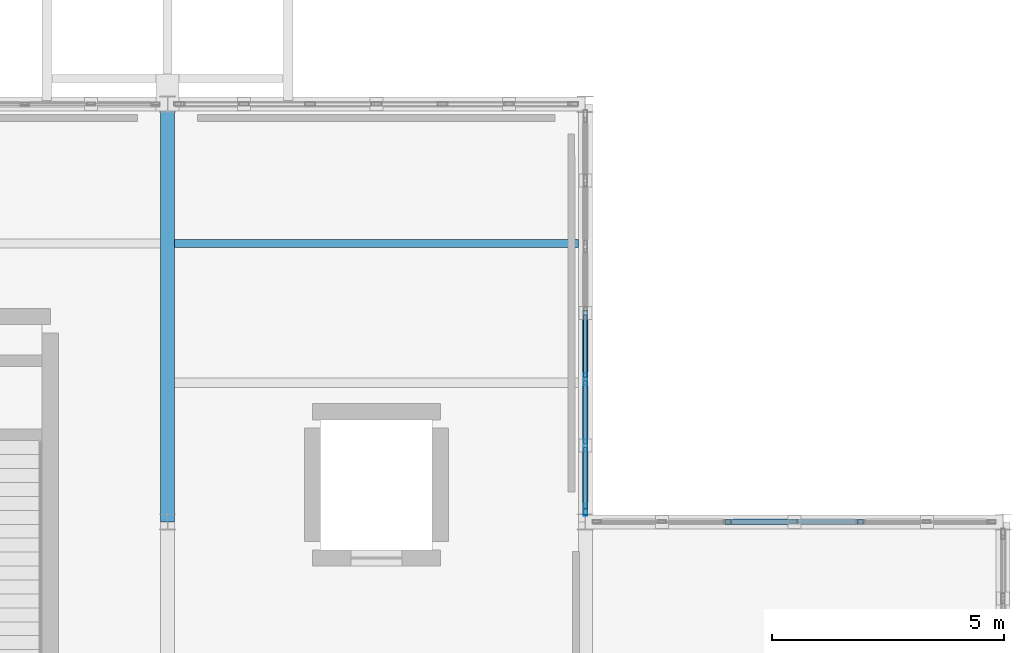
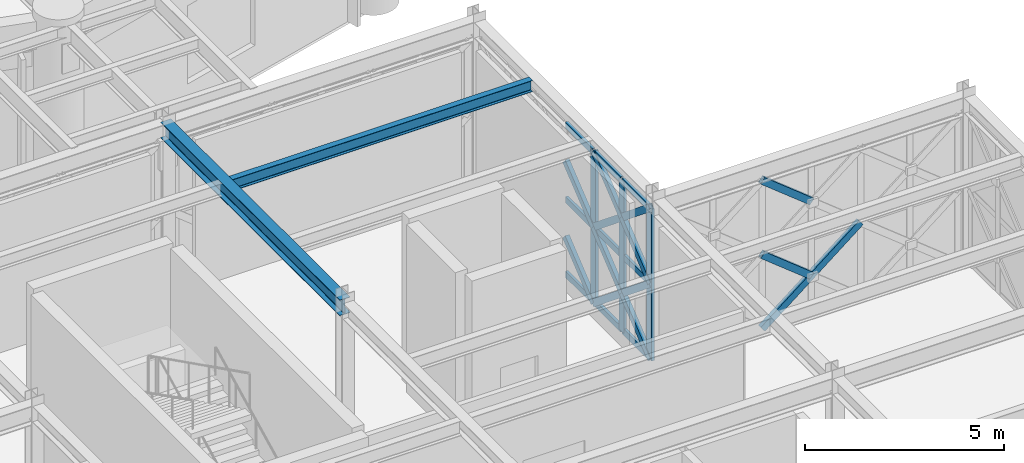
# One storey, part 39 of 166: 23 members, 2 beams, 1 element without a shape of its own.
"""IFC4 building model written with IfcOpenShell, lengths in metres."""

from ifc_helpers import new_model, si_unit, direction, frame, origin, origin_2d, place, context, subcontext, project, spatial, hollow_rectangle, i_section, extrude, material, material_profile, profile_set, type_object, element, aggregate, save


model = new_model("IFC4")

# Units and contexts
model_context = context("Model", 3, precision=1e-05, world=origin(), true_north=direction((0.0, 1.0)))
body_context = subcontext(model_context, "Body", "Model", "MODEL_VIEW")
ifc_project = project(units=[si_unit("LENGTHUNIT", "METRE"), si_unit("AREAUNIT", "SQUARE_METRE"), si_unit("VOLUMEUNIT", "CUBIC_METRE"), si_unit("PLANEANGLEUNIT", "RADIAN"), si_unit("MASSUNIT", "GRAM", prefix="KILO")], contexts=[model_context])

# Site, building, storey
site_placement = place(None, origin())
site = spatial("IfcSite", under=ifc_project, at=site_placement, CompositionType="ELEMENT")
building_placement = place(site_placement, origin())
building = spatial("IfcBuilding", under=site, at=building_placement, Name="Haizhuo Lancet Aquarium", CompositionType="ELEMENT")
storey_placement = place(building_placement, frame((0.0, 0.0, 5.39990234375)))
storey = spatial("IfcBuildingStorey", under=building, at=storey_placement, Name="L01", CompositionType="ELEMENT", Elevation=5.39990234375)

# Beam
ifc_material_1 = material(Name="Steel S355", Category="steel")
ifc_material_profile_1 = material_profile(ifc_material_1, i_section(OverallWidth=0.300048828125, OverallDepth=0.488037109375, WebThickness=0.010986328125, FlangeThickness=0.01806640625, FilletRadius=0.02392578125, at=origin_2d()), Name="HM 488x300x11x18")
ifc_profile_set_1 = profile_set([ifc_material_profile_1], Name="Steel S355")
beam_type_1 = type_object("IfcBeamType", Name="BM-ST-HM488", PredefinedType="BEAM", material=ifc_profile_set_1)
beam_1_placement = place(storey_placement, frame((0.0, -36.0, 4.89599609375), z_axis=(0.0, 1.0, 0.0), x_axis=(-1.0, 0.0, 0.0)))
element("IfcBeam", 1, at=beam_1_placement, inside=storey, type_object=beam_type_1, Name="L01 V4 primary girder BM-L01-V4-018", PredefinedType="BEAM", context=body_context, shape_type="SweptSolid", body=[
    extrude(i_section(OverallWidth=0.300048828125, OverallDepth=0.488037109375, WebThickness=0.010986328125, FlangeThickness=0.01806640625, FilletRadius=0.02392578125, at=origin_2d()), origin(), (0.0, 0.0, 1.0), 9.0),
])

# Curtain wall, members
ifc_material_2 = material(Name="Aluminium 6063-T6", Category="aluminium")
curtain_wall_type = type_object("IfcCurtainWallType", Name="CWO-8560x4650", PredefinedType="NOTDEFINED", material=ifc_material_2)
curtain_wall_placement = place(storey_placement, origin())
curtain_wall = element("IfcCurtainWall", 2, at=curtain_wall_placement, inside=storey, type_object=curtain_wall_type, Name="L01 curtain wall CW-V4-L01-093", PredefinedType="NOTDEFINED")
ifc_material_profile_2 = material_profile(ifc_material_2, hollow_rectangle(XDim=0.080078125, YDim=0.260009765625, WallThickness=0.0048828125, at=origin_2d()), Name="ALU-M 80x260x5")
ifc_profile_set_2 = profile_set([ifc_material_profile_2], Name="Aluminium 6063-T6")
member_type_1 = type_object("IfcMemberType", Name="CW-MUL-3", PredefinedType="MULLION", material=ifc_profile_set_2)
member_1_placement = place(storey_placement, frame((9.0, -32.927001953125, 0.0), z_axis=(0.0, 0.0, 1.0), x_axis=(1.0, 0.0, 0.0)))
member_1 = element("IfcMember", 3, at=member_1_placement, type_object=member_type_1, Name="CWO-85x46 mullion 5", PredefinedType="MULLION", context=body_context, shape_type="SweptSolid", body=[
    extrude(hollow_rectangle(XDim=0.080078125, YDim=0.260009765625, WallThickness=0.0048828125, at=origin_2d()), origin(), (0.0, 0.0, 1.0), 4.652099609375),
])
member_2_placement = place(storey_placement, frame((9.0, -34.35302734375, 0.0), z_axis=(0.0, 0.0, 1.0), x_axis=(1.0, 0.0, 0.0)))
member_2 = element("IfcMember", 4, at=member_2_placement, type_object=member_type_1, Name="CWO-85x46 mullion 6", PredefinedType="MULLION", context=body_context, shape_type="SweptSolid", body=[
    extrude(hollow_rectangle(XDim=0.080078125, YDim=0.260009765625, WallThickness=0.0048828125, at=origin_2d()), origin(), (0.0, 0.0, 1.0), 4.652099609375),
])
member_3_placement = place(storey_placement, frame((9.0, -35.739990234375, 0.0), z_axis=(0.0, 0.0, 1.0), x_axis=(1.0, 0.0, 0.0)))
member_3 = element("IfcMember", 5, at=member_3_placement, type_object=member_type_1, Name="CWO-85x46 mullion 7", PredefinedType="MULLION", context=body_context, shape_type="SweptSolid", body=[
    extrude(hollow_rectangle(XDim=0.080078125, YDim=0.260009765625, WallThickness=0.0048828125, at=origin_2d()), origin(), (0.0, 0.0, 1.0), 4.652099609375),
])
ifc_material_profile_3 = material_profile(ifc_material_2, hollow_rectangle(XDim=0.080078125, YDim=0.18994140625, WallThickness=0.0048828125, at=origin_2d()), Name="ALU-T 80x190x5")
ifc_profile_set_3 = profile_set([ifc_material_profile_3], Name="Aluminium 6063-T6")
member_type_2 = type_object("IfcMemberType", Name="CW-TRN-3", PredefinedType="NOTDEFINED", material=ifc_profile_set_3)
member_4_placement = place(storey_placement, frame((9.0, -31.5400390625, 0.0400390625), z_axis=(0.0, -1.0, 0.0), x_axis=(1.0, 0.0, 0.0)))
member_4 = element("IfcMember", 6, at=member_4_placement, type_object=member_type_2, Name="CWO-85x46 transom 4.1", ObjectType="TRANSOM", PredefinedType="USERDEFINED", context=body_context, shape_type="SweptSolid", body=[
    extrude(hollow_rectangle(XDim=0.080078125, YDim=0.18994140625, WallThickness=0.0048828125, at=origin_2d()), origin(), (0.0, 0.0, 1.0), 1.346923828125),
])
member_5_placement = place(storey_placement, frame((9.0, -31.5400390625, 2.326171875), z_axis=(0.0, -1.0, 0.0), x_axis=(1.0, 0.0, 0.0)))
member_5 = element("IfcMember", 7, at=member_5_placement, type_object=member_type_2, Name="CWO-85x46 transom 4.2", ObjectType="TRANSOM", PredefinedType="USERDEFINED", context=body_context, shape_type="SweptSolid", body=[
    extrude(hollow_rectangle(XDim=0.080078125, YDim=0.18994140625, WallThickness=0.0048828125, at=origin_2d()), origin(), (0.0, 0.0, 1.0), 1.346923828125),
])
member_6_placement = place(storey_placement, frame((9.0, -31.5400390625, 4.612060546875), z_axis=(0.0, -1.0, 0.0), x_axis=(1.0, 0.0, 0.0)))
member_6 = element("IfcMember", 8, at=member_6_placement, type_object=member_type_2, Name="CWO-85x46 transom 4.3", ObjectType="TRANSOM", PredefinedType="USERDEFINED", context=body_context, shape_type="SweptSolid", body=[
    extrude(hollow_rectangle(XDim=0.080078125, YDim=0.18994140625, WallThickness=0.0048828125, at=origin_2d()), origin(), (0.0, 0.0, 1.0), 1.346923828125),
])
member_7_placement = place(storey_placement, frame((9.0, -32.967041015625, 0.0400390625), z_axis=(0.0, -1.0, 0.0), x_axis=(1.0, 0.0, 0.0)))
member_7 = element("IfcMember", 9, at=member_7_placement, type_object=member_type_2, Name="CWO-85x46 transom 5.1", ObjectType="TRANSOM", PredefinedType="USERDEFINED", context=body_context, shape_type="SweptSolid", body=[
    extrude(hollow_rectangle(XDim=0.080078125, YDim=0.18994140625, WallThickness=0.0048828125, at=origin_2d()), origin(), (0.0, 0.0, 1.0), 1.345947265625),
])
member_8_placement = place(storey_placement, frame((9.0, -32.967041015625, 2.326171875), z_axis=(0.0, -1.0, 0.0), x_axis=(1.0, 0.0, 0.0)))
member_8 = element("IfcMember", 10, at=member_8_placement, type_object=member_type_2, Name="CWO-85x46 transom 5.2", ObjectType="TRANSOM", PredefinedType="USERDEFINED", context=body_context, shape_type="SweptSolid", body=[
    extrude(hollow_rectangle(XDim=0.080078125, YDim=0.18994140625, WallThickness=0.0048828125, at=origin_2d()), origin(), (0.0, 0.0, 1.0), 1.345947265625),
])
member_9_placement = place(storey_placement, frame((9.0, -32.967041015625, 4.612060546875), z_axis=(0.0, -1.0, 0.0), x_axis=(1.0, 0.0, 0.0)))
member_9 = element("IfcMember", 11, at=member_9_placement, type_object=member_type_2, Name="CWO-85x46 transom 5.3", ObjectType="TRANSOM", PredefinedType="USERDEFINED", context=body_context, shape_type="SweptSolid", body=[
    extrude(hollow_rectangle(XDim=0.080078125, YDim=0.18994140625, WallThickness=0.0048828125, at=origin_2d()), origin(), (0.0, 0.0, 1.0), 1.345947265625),
])
member_10_placement = place(storey_placement, frame((9.0, -34.39306640625, 0.0400390625), z_axis=(0.0, -1.0, 0.0), x_axis=(1.0, 0.0, 0.0)))
member_10 = element("IfcMember", 12, at=member_10_placement, type_object=member_type_2, Name="CWO-85x46 transom 6.1", ObjectType="TRANSOM", PredefinedType="USERDEFINED", context=body_context, shape_type="SweptSolid", body=[
    extrude(hollow_rectangle(XDim=0.080078125, YDim=0.18994140625, WallThickness=0.0048828125, at=origin_2d()), origin(), (0.0, 0.0, 1.0), 1.306884765625),
])
member_11_placement = place(storey_placement, frame((9.0, -34.39306640625, 2.326171875), z_axis=(0.0, -1.0, 0.0), x_axis=(1.0, 0.0, 0.0)))
member_11 = element("IfcMember", 13, at=member_11_placement, type_object=member_type_2, Name="CWO-85x46 transom 6.2", ObjectType="TRANSOM", PredefinedType="USERDEFINED", context=body_context, shape_type="SweptSolid", body=[
    extrude(hollow_rectangle(XDim=0.080078125, YDim=0.18994140625, WallThickness=0.0048828125, at=origin_2d()), origin(), (0.0, 0.0, 1.0), 1.306884765625),
])
member_12_placement = place(storey_placement, frame((9.0, -34.39306640625, 4.612060546875), z_axis=(0.0, -1.0, 0.0), x_axis=(1.0, 0.0, 0.0)))
member_12 = element("IfcMember", 14, at=member_12_placement, type_object=member_type_2, Name="CWO-85x46 transom 6.3", ObjectType="TRANSOM", PredefinedType="USERDEFINED", context=body_context, shape_type="SweptSolid", body=[
    extrude(hollow_rectangle(XDim=0.080078125, YDim=0.18994140625, WallThickness=0.0048828125, at=origin_2d()), origin(), (0.0, 0.0, 1.0), 1.306884765625),
])
aggregate(curtain_wall, [member_1, member_2, member_3, member_4, member_5, member_6, member_7, member_8, member_9, member_10, member_11, member_12])

# Beam
ifc_material_profile_4 = material_profile(ifc_material_1, i_section(OverallWidth=0.175048828125, OverallDepth=0.35009765625, WebThickness=0.007080078125, FlangeThickness=0.010986328125, FilletRadius=0.013916015625, at=origin_2d()), Name="HN 350x175x7x11")
ifc_profile_set_4 = profile_set([ifc_material_profile_4], Name="Steel S355")
beam_type_2 = type_object("IfcBeamType", Name="JST-ST-HN350", PredefinedType="JOIST", material=ifc_profile_set_4)
beam_2_placement = place(storey_placement, frame((0.14990234375, -30.0, 4.965087890625), z_axis=(1.0, 0.0, 0.0), x_axis=(0.0, 1.0, 0.0)))
element("IfcBeam", 15, at=beam_2_placement, inside=storey, type_object=beam_type_2, Name="L01 V4 secondary floor joist 16", PredefinedType="JOIST", context=body_context, shape_type="SweptSolid", body=[
    extrude(i_section(OverallWidth=0.175048828125, OverallDepth=0.35009765625, WebThickness=0.007080078125, FlangeThickness=0.010986328125, FilletRadius=0.013916015625, at=origin_2d()), origin(), (0.0, 0.0, 1.0), 8.7001953125),
])

# Members
ifc_material_profile_5 = material_profile(ifc_material_1, hollow_rectangle(XDim=0.1201171875, YDim=0.199951171875, WallThickness=0.008056640625, at=origin_2d()), Name="RHS 120x200x8")
ifc_profile_set_5 = profile_set([ifc_material_profile_5], Name="Steel S355")
member_type_3 = type_object("IfcMemberType", Name="MEM-LB-RHS120x200", PredefinedType="BRACE", material=ifc_profile_set_5)
member_13_placement = place(storey_placement, frame((9.0, -32.927001953125, 0.0), z_axis=(0.0, 0.77514357805, 0.631785116481), x_axis=(-1.0, 0.0, 0.0)))
element("IfcMember", 16, at=member_13_placement, inside=storey, type_object=member_type_3, Name="Gothic lancet split diagonal brace CW-V4-L01-093 3B1", PredefinedType="BRACE", context=body_context, shape_type="SweptSolid", body=[
    extrude(hollow_rectangle(XDim=0.1201171875, YDim=0.199951171875, WallThickness=0.008056640625, at=origin_2d()), origin(), (0.0, 0.0, 1.0), 1.841064453125),
])
member_14_placement = place(storey_placement, frame((9.0, -32.927001953125, 2.326171875), z_axis=(0.0, 0.775208524913, 0.631705424151), x_axis=(-1.0, 0.0, 0.0)))
element("IfcMember", 17, at=member_14_placement, inside=storey, type_object=member_type_3, Name="Gothic lancet split diagonal brace CW-V4-L01-093 4B1", PredefinedType="BRACE", context=body_context, shape_type="SweptSolid", body=[
    extrude(hollow_rectangle(XDim=0.1201171875, YDim=0.199951171875, WallThickness=0.008056640625, at=origin_2d()), origin(), (0.0, 0.0, 1.0), 1.8408203125),
])
member_15_placement = place(storey_placement, frame((9.0, -32.927001953125, 0.0), z_axis=(0.0, -0.775037676978, 0.631915025351), x_axis=(1.0, 0.0, 0.0)))
element("IfcMember", 18, at=member_15_placement, inside=storey, type_object=member_type_3, Name="Gothic lancet continuous diagonal brace CW-V4-L01-093 5A", PredefinedType="BRACE", context=body_context, shape_type="SweptSolid", body=[
    extrude(hollow_rectangle(XDim=0.1201171875, YDim=0.199951171875, WallThickness=0.008056640625, at=origin_2d()), origin(), (0.0, 0.0, 1.0), 3.68115234375),
])
member_16_placement = place(storey_placement, frame((9.0, -35.780029296875, 0.0), z_axis=(0.0, 0.77514357805, 0.631785116481), x_axis=(-1.0, 0.0, 0.0)))
element("IfcMember", 19, at=member_16_placement, inside=storey, type_object=member_type_3, Name="Gothic lancet split diagonal brace CW-V4-L01-093 5B1", PredefinedType="BRACE", context=body_context, shape_type="SweptSolid", body=[
    extrude(hollow_rectangle(XDim=0.1201171875, YDim=0.199951171875, WallThickness=0.008056640625, at=origin_2d()), origin(), (0.0, 0.0, 1.0), 1.841064453125),
])
member_17_placement = place(storey_placement, frame((9.0, -34.35302734375, 1.1630859375), z_axis=(0.0, 0.774931710564, 0.63204496989), x_axis=(-1.0, 0.0, 0.0)))
element("IfcMember", 20, at=member_17_placement, inside=storey, type_object=member_type_3, Name="Gothic lancet split diagonal brace CW-V4-L01-093 5B2", PredefinedType="BRACE", context=body_context, shape_type="SweptSolid", body=[
    extrude(hollow_rectangle(XDim=0.1201171875, YDim=0.199951171875, WallThickness=0.008056640625, at=origin_2d()), origin(), (0.0, 0.0, 1.0), 1.840087890625),
])
member_18_placement = place(storey_placement, frame((9.0, -32.927001953125, 2.326171875), z_axis=(0.0, -0.775070158992, 0.631875184384), x_axis=(1.0, 0.0, 0.0)))
element("IfcMember", 21, at=member_18_placement, inside=storey, type_object=member_type_3, Name="Gothic lancet continuous diagonal brace CW-V4-L01-093 6A", PredefinedType="BRACE", context=body_context, shape_type="SweptSolid", body=[
    extrude(hollow_rectangle(XDim=0.1201171875, YDim=0.199951171875, WallThickness=0.008056640625, at=origin_2d()), origin(), (0.0, 0.0, 1.0), 3.680908203125),
])
member_19_placement = place(storey_placement, frame((9.0, -35.780029296875, 2.326171875), z_axis=(0.0, 0.775208524913, 0.631705424151), x_axis=(-1.0, 0.0, 0.0)))
element("IfcMember", 22, at=member_19_placement, inside=storey, type_object=member_type_3, Name="Gothic lancet split diagonal brace CW-V4-L01-093 6B1", PredefinedType="BRACE", context=body_context, shape_type="SweptSolid", body=[
    extrude(hollow_rectangle(XDim=0.1201171875, YDim=0.199951171875, WallThickness=0.008056640625, at=origin_2d()), origin(), (0.0, 0.0, 1.0), 1.8408203125),
])
member_20_placement = place(storey_placement, frame((9.0, -34.35302734375, 3.489013671875), z_axis=(0.0, 0.774931710564, 0.63204496989), x_axis=(-1.0, 0.0, 0.0)))
element("IfcMember", 23, at=member_20_placement, inside=storey, type_object=member_type_3, Name="Gothic lancet split diagonal brace CW-V4-L01-093 6B2", PredefinedType="BRACE", context=body_context, shape_type="SweptSolid", body=[
    extrude(hollow_rectangle(XDim=0.1201171875, YDim=0.199951171875, WallThickness=0.008056640625, at=origin_2d()), origin(), (0.0, 0.0, 1.0), 1.840087890625),
])
member_21_placement = place(storey_placement, frame((12.072998046875, -36.0, 0.0), z_axis=(0.781814005267, 0.0, 0.623511716946), x_axis=(0.0, 1.0, 0.0)))
element("IfcMember", 24, at=member_21_placement, inside=storey, type_object=member_type_3, Name="Gothic lancet continuous diagonal brace CW-V4-L01-094 3A", PredefinedType="BRACE", context=body_context, shape_type="SweptSolid", body=[
    extrude(hollow_rectangle(XDim=0.1201171875, YDim=0.199951171875, WallThickness=0.008056640625, at=origin_2d()), origin(), (0.0, 0.0, 1.0), 3.650390625),
])
for number, where, z_axis, x_axis, name in (
    (25, (13.5, -36.0, 1.13818359375), (-0.781846607014, 0.0, 0.623470835807), (0.0, -1.0, 0.0), "Gothic lancet split diagonal brace CW-V4-L01-094 3B2"),
    (26, (13.5, -36.0, 3.4140625), (-0.781846607014, 0.0, 0.623470835807), (0.0, -1.0, 0.0), "Gothic lancet split diagonal brace CW-V4-L01-094 4B2"),
):
    element("IfcMember", number, at=place(storey_placement, frame(where, z_axis=z_axis, x_axis=x_axis)), inside=storey, type_object=member_type_3, Name=name, PredefinedType="BRACE", context=body_context, shape_type="SweptSolid", body=[
        extrude(hollow_rectangle(XDim=0.1201171875, YDim=0.199951171875, WallThickness=0.008056640625, at=origin_2d()), origin(), (0.0, 0.0, 1.0), 1.8251953125),
    ])

save(model, "model.ifc")
